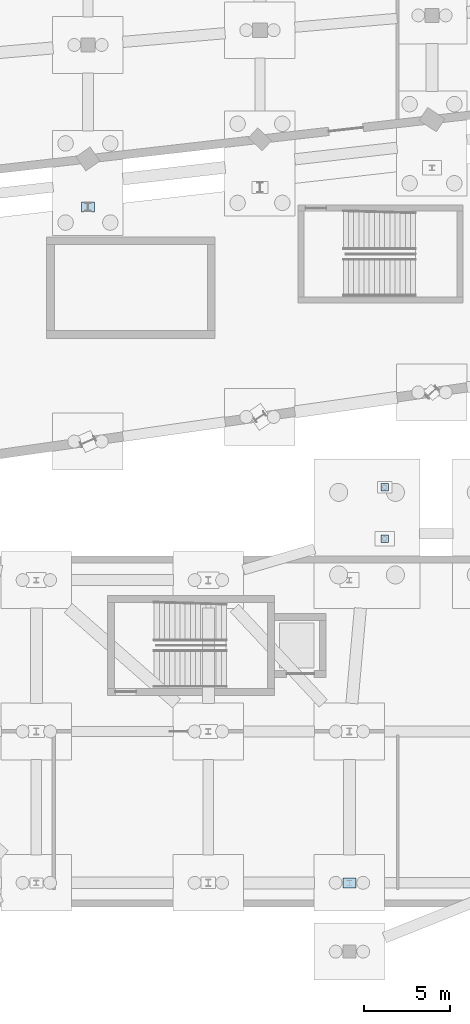
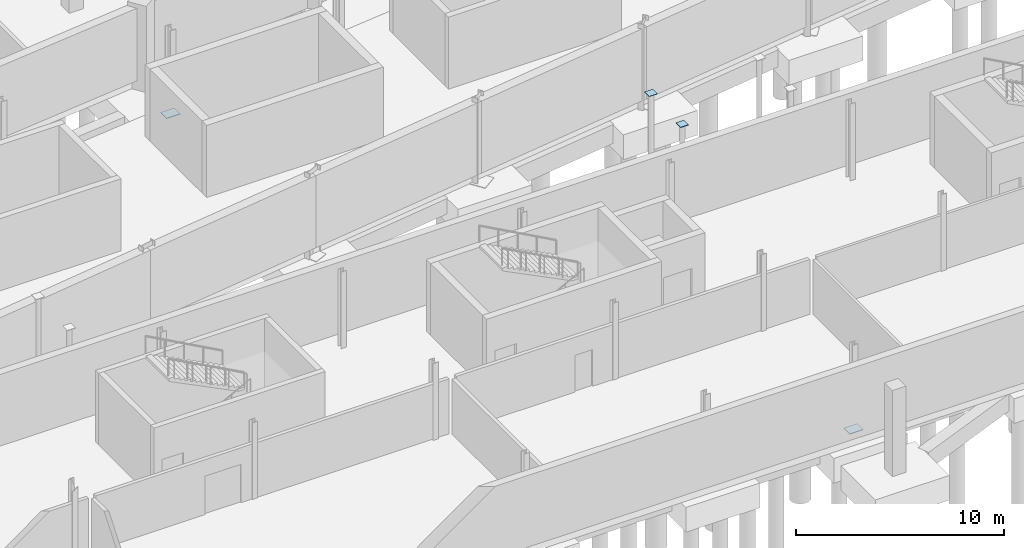
# One storey, part 39 of 55: 4 plates.
"""IFC4 building model written with IfcOpenShell, lengths in metres."""

from ifc_helpers import new_model, si_unit, direction, frame, origin, origin_2d, place, context, subcontext, project, spatial, rectangle, extrude, material, layer, layer_set, type_object, element, save


model = new_model("IFC4")

# Units and contexts
model_context = context("Model", 3, precision=1e-05, world=origin(), true_north=direction((0.0, 1.0)))
body_context = subcontext(model_context, "Body", "Model", "MODEL_VIEW")
ifc_project = project(units=[si_unit("LENGTHUNIT", "METRE"), si_unit("AREAUNIT", "SQUARE_METRE"), si_unit("VOLUMEUNIT", "CUBIC_METRE"), si_unit("PLANEANGLEUNIT", "RADIAN"), si_unit("MASSUNIT", "GRAM", prefix="KILO")], contexts=[model_context])

# Site, building, storey
site_placement = place(None, origin())
site = spatial("IfcSite", under=ifc_project, at=site_placement, CompositionType="ELEMENT")
building_placement = place(site_placement, origin())
building = spatial("IfcBuilding", under=site, at=building_placement, Name="Sohan Crest Arena", CompositionType="ELEMENT")
storey_placement = place(building_placement, frame((0.0, 0.0, -4.5)))
storey = spatial("IfcBuildingStorey", under=building, at=storey_placement, Name="B1", CompositionType="ELEMENT", Elevation=-4.5)

# Plates
ifc_material = material(Name="Steel S355", Category="steel")
ifc_layer_1 = layer(ifc_material, 0.031982421875, Name="Steel S355")
ifc_layer_set_1 = layer_set([ifc_layer_1], Name="Steel S355")
plate_type_1 = type_object("IfcPlateType", Name="STR-PL-BP01", PredefinedType="USERDEFINED", material=ifc_layer_set_1)
for number, where, z_axis, x_axis, name in (
    (1, (135.25, 27.199951171875, 4.487548828125), (0.0, 0.0, 1.0), (1.0, 0.0, 0.0), "Hollow section end cap plate ECP-0097"),
    (2, (135.25, 30.199951171875, 4.487548828125), (0.0, 0.0, 1.0), (1.0, 0.0, 0.0), "Hollow section end cap plate ECP-0101"),
):
    element("IfcPlate", number, at=place(storey_placement, frame(where, z_axis=z_axis, x_axis=x_axis)), inside=storey, type_object=plate_type_1, Name=name, ObjectType="BASE PLATE", PredefinedType="USERDEFINED", context=body_context, shape_type="SweptSolid", body=[
        extrude(rectangle(XDim=0.449951171875, YDim=0.449951171875, at=origin_2d()), origin(), (0.0, 0.0, 1.0), 0.02490234375),
    ])
ifc_layer_2 = layer(ifc_material, 0.030029296875, Name="Steel S355")
ifc_layer_set_2 = layer_set([ifc_layer_2], Name="Steel S355")
plate_type_2 = type_object("IfcPlateType", Name="STR-PL-BP04", PredefinedType="USERDEFINED", material=ifc_layer_set_2)
for number, where, z_axis, x_axis, name in (
    (3, (118.0, 46.486083984375, -0.5498046875), (0.0, 0.0, 1.0), (1.0, 0.0, 0.0), "Steel column base plate BP-V2I-15"),
    (4, (133.199951171875, 7.199951171875, -0.5498046875), (0.0, 0.0, 1.0), (1.0, 0.0, 0.0), "Steel column base plate BP-V5C-07-1"),
):
    element("IfcPlate", number, at=place(storey_placement, frame(where, z_axis=z_axis, x_axis=x_axis)), inside=storey, type_object=plate_type_2, Name=name, ObjectType="BASE PLATE", PredefinedType="USERDEFINED", context=body_context, shape_type="SweptSolid", body=[
        extrude(rectangle(XDim=0.760009765625, YDim=0.580078125, at=origin_2d()), origin(), (0.0, 0.0, 1.0), 0.030029296875),
    ])

save(model, "model.ifc")
